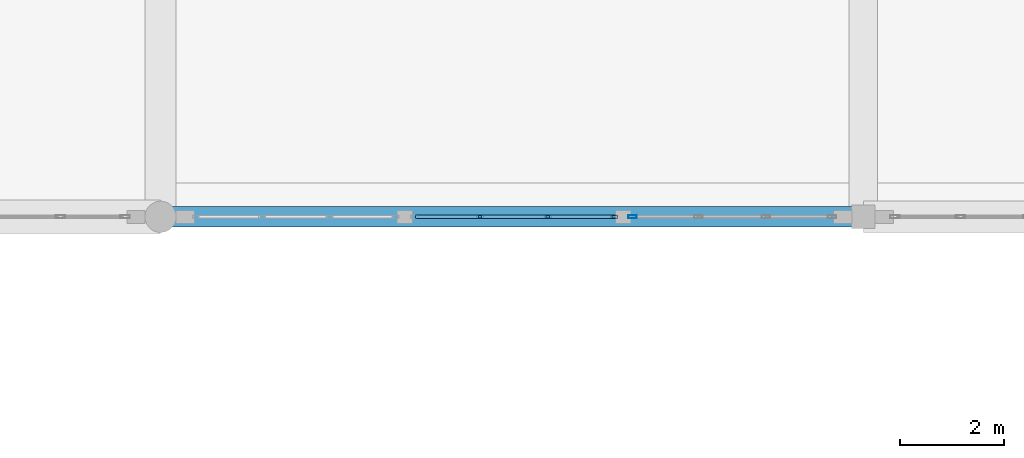
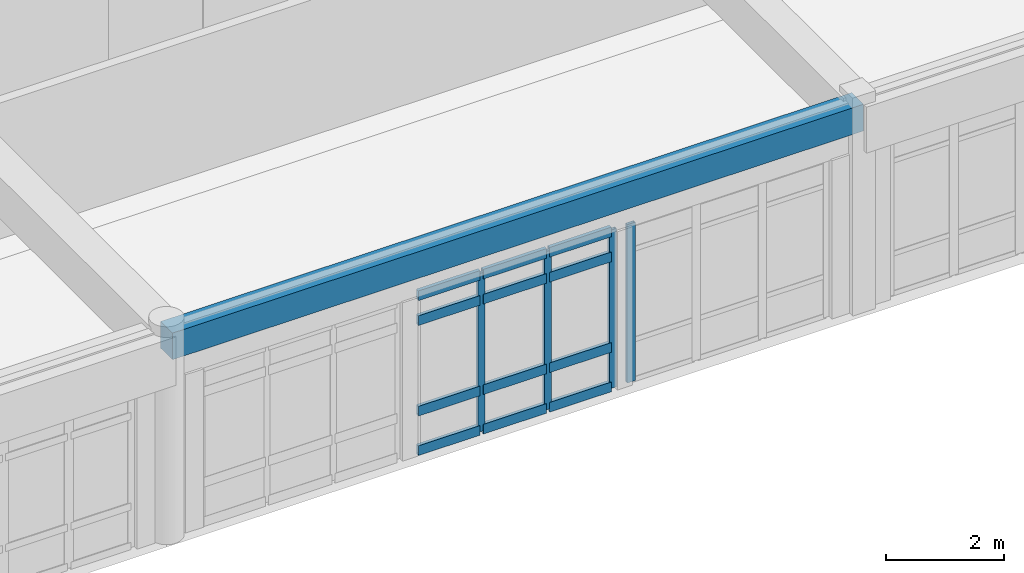
# One storey, part 43 of 109: 16 members, 1 beam, 2 elements without a shape of their own.
"""IFC4 building model written with IfcOpenShell, lengths in metres."""

import ifcopenshell
import ifcopenshell.guid

model = None  # the IFC model being written
_history = None  # IfcOwnerHistory: only IFC2X3 demands one
_inside = {}  # id of a spatial element -> (the spatial element, [elements in it])
_under = {}  # id of a project, library or spatial element -> (it, [spatial elements below it])
_declared = {}  # id of a project -> (the project, [libraries it declares])
_typed = {}  # id of a type object -> (the type object, [elements of that type])
_made_of = {}  # id of a material, layer set ... -> (it, [elements and type objects made of it])


def new_model(schema):
    """Start an empty IFC model of exactly this schema.

    Asked for "IFC4X3", IfcOpenShell would pick the latest addendum, in which some entities
    have other attributes; the version numbers below select the first issue.
    IFC2X3 requires an IfcOwnerHistory on every rooted entity: one is made here for all.
    """
    global model, _history
    if schema == "IFC4X3":
        model = ifcopenshell.file(schema_version=(4, 3, 0, 0))
    else:
        model = ifcopenshell.file(schema=schema)
    _inside.clear()
    _under.clear()
    _declared.clear()
    _typed.clear()
    _made_of.clear()
    _history = None
    if model.schema == "IFC2X3":
        org = make("IfcOrganization", Name="unknown")
        user = make(
            "IfcPersonAndOrganization",
            ThePerson=make("IfcPerson", FamilyName="unknown"),
            TheOrganization=org,
        )
        app = make(
            "IfcApplication",
            ApplicationDeveloper=org,
            Version="unknown",
            ApplicationFullName="unknown",
            ApplicationIdentifier="unknown",
        )
        _history = make(
            "IfcOwnerHistory",
            OwningUser=user,
            OwningApplication=app,
            ChangeAction="ADDED",
            CreationDate=0,
        )
    return model


def make(cls, **values):
    """One entity of the class cls with the attributes given. An attribute that is None is left unset."""
    return model.create_entity(
        cls, **{name: value for name, value in values.items() if value is not None}
    )


def rooted(cls, **values):
    """An entity with a GlobalId (a new one), such as an element, a storey or a relation."""
    return make(cls, GlobalId=ifcopenshell.guid.new(), OwnerHistory=_history, **values)


def si_unit(unit_type, name, prefix=None):
    """IfcSIUnit, for example si_unit("LENGTHUNIT", "METRE", prefix="MILLI")."""
    return make("IfcSIUnit", UnitType=unit_type, Prefix=prefix, Name=name)


def assignment(units):
    """IfcUnitAssignment: the units of a project."""
    return None if units is None else make("IfcUnitAssignment", Units=units)


def point(xyz):
    """IfcCartesianPoint."""
    return None if xyz is None else make("IfcCartesianPoint", Coordinates=xyz)


def direction(xyz):
    """IfcDirection."""
    return None if xyz is None else make("IfcDirection", DirectionRatios=xyz)


def frame(location, z_axis=None, x_axis=None):
    """IfcAxis2Placement3D, a coordinate frame: its origin and axes. An axis left out is left unset."""
    return make(
        "IfcAxis2Placement3D",
        Location=point(location),
        Axis=direction(z_axis),
        RefDirection=direction(x_axis),
    )


def frame_2d(location, x_axis=None):
    """IfcAxis2Placement2D, a coordinate frame in the plane: its origin and x axis."""
    return make(
        "IfcAxis2Placement2D", Location=point(location), RefDirection=direction(x_axis)
    )


def origin():
    """The frame at (0, 0, 0) with its axes left unset."""
    return frame((0.0, 0.0, 0.0))


def origin_2d():
    """The frame at (0, 0) in the plane with its x axis left unset."""
    return frame_2d((0.0, 0.0))


def place(relative_to, where):
    """IfcLocalPlacement: puts the frame where relative to a parent placement (None: the world)."""
    return make(
        "IfcLocalPlacement", PlacementRelTo=relative_to, RelativePlacement=where
    )


def context(
    kind, dimensions, precision=None, world=None, true_north=None, identifier=None
):
    """IfcGeometricRepresentationContext, for example the 3D "Model" context."""
    return make(
        "IfcGeometricRepresentationContext",
        ContextIdentifier=identifier,
        ContextType=kind,
        CoordinateSpaceDimension=dimensions,
        Precision=precision,
        WorldCoordinateSystem=world,
        TrueNorth=true_north,
    )


def subcontext(parent, identifier, kind, view, scale=None):
    """IfcGeometricRepresentationSubContext, for example "Body" below "Model"."""
    return make(
        "IfcGeometricRepresentationSubContext",
        ContextIdentifier=identifier,
        ContextType=kind,
        ParentContext=parent,
        TargetScale=scale,
        TargetView=view,
    )


def project(units=None, contexts=None):
    """IfcProject with its units and contexts."""
    return rooted(
        "IfcProject",
        Name="project",
        RepresentationContexts=contexts,
        UnitsInContext=assignment(units),
    )


def spatial(cls, under=None, at=None, **own):
    """A site, building, storey or space (cls), placed at a placement, below another one or the project."""
    s = rooted(cls, ObjectPlacement=at, **own)
    if under is not None:
        _under.setdefault(under.id(), (under, []))[1].append(s)
    return s


def profile(cls, at=None, kind="AREA", **sizes):
    """A parametric profile (cls). Its sizes go by their IFC names, for example OverallWidth=200.0."""
    return make(cls, ProfileType=kind, Position=at, **sizes)


def rectangle(**sizes):
    """IfcRectangleProfileDef."""
    return profile("IfcRectangleProfileDef", **sizes)


def hollow_rectangle(**sizes):
    """IfcRectangleHollowProfileDef."""
    return profile("IfcRectangleHollowProfileDef", **sizes)


def extrude(swept, where, along, depth):
    """IfcExtrudedAreaSolid: the profile swept, set in the frame where, extruded along a direction by depth."""
    return make(
        "IfcExtrudedAreaSolid",
        SweptArea=swept,
        Position=where,
        ExtrudedDirection=direction(along),
        Depth=depth,
    )


def shape(context_of_items, identifier, shape_type, items):
    """IfcShapeRepresentation: the items that make up one representation, for example the "Body"."""
    return make(
        "IfcShapeRepresentation",
        ContextOfItems=context_of_items,
        RepresentationIdentifier=identifier,
        RepresentationType=shape_type,
        Items=items,
    )


def material(Name=None, Category=None):
    """IfcMaterial."""
    return make("IfcMaterial", Name=Name, Category=Category)


def layer(
    of_material, thickness, ventilated=None, Name=None, Category=None, Priority=None
):
    """IfcMaterialLayer: one layer of a wall or slab, of a material (None: an air gap)."""
    return make(
        "IfcMaterialLayer",
        Material=of_material,
        LayerThickness=thickness,
        IsVentilated=ventilated,
        Name=Name,
        Category=Category,
        Priority=Priority,
    )


def layer_set(layers, Name=None):
    """IfcMaterialLayerSet."""
    return make("IfcMaterialLayerSet", MaterialLayers=layers, LayerSetName=Name)


def material_profile(
    of_material, cross_section, Name=None, Category=None, Priority=None
):
    """IfcMaterialProfile: a cross section and its material."""
    return make(
        "IfcMaterialProfile",
        Name=Name,
        Material=of_material,
        Profile=cross_section,
        Priority=Priority,
        Category=Category,
    )


def profile_set(profiles, Name=None, composite=None):
    """IfcMaterialProfileSet."""
    return make(
        "IfcMaterialProfileSet",
        Name=Name,
        MaterialProfiles=profiles,
        CompositeProfile=composite,
    )


def made_of(thing, what):
    """Note that an element or type object is made of a material, layer set ...; save() writes the relation."""
    if what is not None:
        _made_of.setdefault(what.id(), (what, []))[1].append(thing)
    return thing


def type_object(cls, material=None, **own):
    """A type object (cls), such as IfcWallType, which elements share."""
    return made_of(rooted(cls, **own), material)


def element(
    cls,
    number,
    at=None,
    inside=None,
    cuts=None,
    type_object=None,
    material=None,
    context=None,
    identifier="Body",
    shape_type=None,
    held_by="IfcProductDefinitionShape",
    body=None,
    shapes=None,
    **own,
):
    """One element of the class cls, such as IfcWall. Its Tag is "e" and its number.

    at: its placement. inside: the storey or other place that contains it. cuts: it is an
    opening in that element (IfcRelVoidsElement). A single representation is given by context,
    identifier, shape_type and body (its items); several are given by shapes. held_by: the class
    of the entity that holds the representations. save() writes the other relations.
    """
    e = rooted(cls, Tag="e%d" % number, ObjectPlacement=at, **own)
    if body is not None:
        shapes = [shape(context, identifier, shape_type, body)]
    if shapes is not None:
        e.Representation = make(held_by, Representations=shapes)
    if inside is not None:
        _inside.setdefault(inside.id(), (inside, []))[1].append(e)
    if cuts is not None:
        rooted(
            "IfcRelVoidsElement", RelatingBuildingElement=cuts, RelatedOpeningElement=e
        )
    if type_object is not None:
        _typed.setdefault(type_object.id(), (type_object, []))[1].append(e)
    return made_of(e, material)


def aggregate(whole, parts):
    """IfcRelAggregates: a whole, such as a stair, and the parts it consists of."""
    return rooted("IfcRelAggregates", RelatingObject=whole, RelatedObjects=parts)


def save(model, path):
    """Write the relations noted so far, then the file.

    IfcRelAggregates (storeys below a building ...), IfcRelContainedInSpatialStructure (elements
    in a storey), IfcRelDefinesByType, IfcRelAssociatesMaterial and IfcRelDeclares: one each for
    every whole, place, type object, material and project.
    """
    for whole, parts in _under.values():
        aggregate(whole, parts)
    for where, things in _inside.values():
        rooted(
            "IfcRelContainedInSpatialStructure",
            RelatedElements=things,
            RelatingStructure=where,
        )
    for kind, things in _typed.values():
        rooted("IfcRelDefinesByType", RelatedObjects=things, RelatingType=kind)
    for what, things in _made_of.values():
        rooted("IfcRelAssociatesMaterial", RelatedObjects=things, RelatingMaterial=what)
    for by, libraries in _declared.values():
        rooted("IfcRelDeclares", RelatingContext=by, RelatedDefinitions=libraries)
    model.write(path)


model = new_model("IFC4")

# Units and contexts
model_context = context("Model", 3, precision=1e-05, world=origin(), true_north=direction((0.0, 1.0)))
body_context = subcontext(model_context, "Body", "Model", "MODEL_VIEW")
ifc_project = project(units=[si_unit("LENGTHUNIT", "METRE"), si_unit("AREAUNIT", "SQUARE_METRE"), si_unit("VOLUMEUNIT", "CUBIC_METRE"), si_unit("PLANEANGLEUNIT", "RADIAN"), si_unit("MASSUNIT", "GRAM", prefix="KILO")], contexts=[model_context])

# Site, building, storey
site_placement = place(None, origin())
site = spatial("IfcSite", under=ifc_project, at=site_placement, CompositionType="ELEMENT")
building_placement = place(site_placement, origin())
building = spatial("IfcBuilding", under=site, at=building_placement, Name="Fikremerkos Civic Library", CompositionType="ELEMENT")
storey_placement = place(building_placement, frame((0.0, 0.0, 5.39990234375)))
storey = spatial("IfcBuildingStorey", under=building, at=storey_placement, Name="L01", CompositionType="ELEMENT", Elevation=5.39990234375)

# Curtain wall, member
ifc_material_1 = material(Name="Anodized aluminium Frame", Category="aluminium")
ifc_layer_1 = layer(ifc_material_1, 0.159912109375, Name="Anodized aluminium Frame")
ifc_layer_set_1 = layer_set([ifc_layer_1], Name="Anodized aluminium Frame")
curtain_wall_type_1 = type_object("IfcCurtainWallType", Name="Unitised curtain wall CW-14 4100x3200", PredefinedType="USERDEFINED", material=ifc_layer_set_1)
curtain_wall_1_placement = place(storey_placement, origin())
curtain_wall_1 = element("IfcCurtainWall", 1, at=curtain_wall_1_placement, inside=storey, type_object=curtain_wall_type_1, Name="Unitised curtain wall CW-14 L01 #122", ObjectType="UNITISED CURTAIN WALL", PredefinedType="USERDEFINED")
ifc_material_profile_1 = material_profile(ifc_material_1, hollow_rectangle(XDim=0.06005859375, YDim=0.159912109375, WallThickness=0.00390625, at=origin_2d()), Name="ALU 160x60x4")
ifc_profile_set_1 = profile_set([ifc_material_profile_1], Name="Anodized aluminium Frame")
member_type_1 = type_object("IfcMemberType", Name="Curtain mullion CWM-02 ALU 160x60x4", PredefinedType="MULLION", material=ifc_profile_set_1)
member_1_placement = place(storey_placement, frame((95.763916015625, 96.0, 0.0), z_axis=(0.0, 0.0, 1.0), x_axis=(0.0, -1.0, 0.0)))
member_1 = element("IfcMember", 2, at=member_1_placement, type_object=member_type_1, Name="CW-14 mullion 4", PredefinedType="MULLION", context=body_context, shape_type="SweptSolid", body=[
    extrude(hollow_rectangle(XDim=0.06005859375, YDim=0.159912109375, WallThickness=0.00390625, at=origin_2d()), origin(), (0.0, 0.0, 1.0), 3.27001953125),
])
aggregate(curtain_wall_1, [member_1])

# Curtain wall, members
ifc_layer_2 = layer(ifc_material_1, 0.159912109375, Name="Anodized aluminium Frame")
ifc_layer_set_2 = layer_set([ifc_layer_2], Name="Anodized aluminium Frame")
curtain_wall_type_2 = type_object("IfcCurtainWallType", Name="Unitised curtain wall CW-15 2900x3600", PredefinedType="USERDEFINED", material=ifc_layer_set_2)
curtain_wall_2_placement = place(storey_placement, origin())
curtain_wall_2 = element("IfcCurtainWall", 3, at=curtain_wall_2_placement, inside=storey, type_object=curtain_wall_type_2, Name="Unitised curtain wall CW-15 L01 #123", ObjectType="UNITISED CURTAIN WALL", PredefinedType="USERDEFINED")
ifc_material_profile_2 = material_profile(ifc_material_1, hollow_rectangle(XDim=0.06005859375, YDim=0.139892578125, WallThickness=0.00390625, at=origin_2d()), Name="ALU 140x60x4")
ifc_profile_set_2 = profile_set([ifc_material_profile_2], Name="Anodized aluminium Frame")
member_type_2 = type_object("IfcMemberType", Name="Curtain mullion CWM-03 ALU 140x60x4", PredefinedType="MULLION", material=ifc_profile_set_2)
member_2_placement = place(storey_placement, frame((95.404052734375, 96.0, 0.0), z_axis=(0.0, 0.0, 1.0), x_axis=(0.0, -1.0, 0.0)))
member_2 = element("IfcMember", 4, at=member_2_placement, type_object=member_type_2, Name="CW-15 mullion 1", PredefinedType="MULLION", context=body_context, shape_type="SweptSolid", body=[
    extrude(hollow_rectangle(XDim=0.06005859375, YDim=0.139892578125, WallThickness=0.00390625, at=origin_2d()), origin(), (0.0, 0.0, 1.0), 3.27001953125),
])
member_3_placement = place(storey_placement, frame((94.13623046875, 96.0, 0.0), z_axis=(0.0, 0.0, 1.0), x_axis=(0.0, -1.0, 0.0)))
member_3 = element("IfcMember", 5, at=member_3_placement, type_object=member_type_2, Name="CW-15 mullion 2", PredefinedType="MULLION", context=body_context, shape_type="SweptSolid", body=[
    extrude(hollow_rectangle(XDim=0.06005859375, YDim=0.139892578125, WallThickness=0.00390625, at=origin_2d()), origin(), (0.0, 0.0, 1.0), 3.27001953125),
])
member_4_placement = place(storey_placement, frame((92.838623046875, 96.0, 0.0), z_axis=(0.0, 0.0, 1.0), x_axis=(0.0, -1.0, 0.0)))
member_4 = element("IfcMember", 6, at=member_4_placement, type_object=member_type_2, Name="CW-15 mullion 3", PredefinedType="MULLION", context=body_context, shape_type="SweptSolid", body=[
    extrude(hollow_rectangle(XDim=0.06005859375, YDim=0.139892578125, WallThickness=0.00390625, at=origin_2d()), origin(), (0.0, 0.0, 1.0), 3.27001953125),
])
ifc_material_profile_3 = material_profile(ifc_material_1, hollow_rectangle(XDim=0.070068359375, YDim=0.199951171875, WallThickness=0.0048828125, at=origin_2d()), Name="ALU 200x70x5")
ifc_profile_set_3 = profile_set([ifc_material_profile_3], Name="Anodized aluminium Frame")
member_type_3 = type_object("IfcMemberType", Name="Curtain transom CWT-04 ALU 200x70x5", PredefinedType="USERDEFINED", material=ifc_profile_set_3)
member_5_placement = place(storey_placement, frame((95.3740234375, 96.0, 0.03515625), z_axis=(-1.0, 0.0, 0.0), x_axis=(0.0, -1.0, 0.0)))
member_5 = element("IfcMember", 7, at=member_5_placement, type_object=member_type_3, Name="CW-15 transom 1.1", ObjectType="TRANSOM", PredefinedType="USERDEFINED", context=body_context, shape_type="SweptSolid", body=[
    extrude(hollow_rectangle(XDim=0.070068359375, YDim=0.199951171875, WallThickness=0.0048828125, at=origin_2d()), origin(), (0.0, 0.0, 1.0), 1.207763671875),
])
member_6_placement = place(storey_placement, frame((95.3740234375, 96.0, 0.85009765625), z_axis=(-1.0, 0.0, 0.0), x_axis=(0.0, -1.0, 0.0)))
member_6 = element("IfcMember", 8, at=member_6_placement, type_object=member_type_3, Name="CW-15 transom 1.2", ObjectType="TRANSOM", PredefinedType="USERDEFINED", context=body_context, shape_type="SweptSolid", body=[
    extrude(hollow_rectangle(XDim=0.070068359375, YDim=0.199951171875, WallThickness=0.0048828125, at=origin_2d()), origin(), (0.0, 0.0, 1.0), 1.207763671875),
])
member_7_placement = place(storey_placement, frame((95.3740234375, 96.0, 2.72021484375), z_axis=(-1.0, 0.0, 0.0), x_axis=(0.0, -1.0, 0.0)))
member_7 = element("IfcMember", 9, at=member_7_placement, type_object=member_type_3, Name="CW-15 transom 1.3", ObjectType="TRANSOM", PredefinedType="USERDEFINED", context=body_context, shape_type="SweptSolid", body=[
    extrude(hollow_rectangle(XDim=0.070068359375, YDim=0.199951171875, WallThickness=0.0048828125, at=origin_2d()), origin(), (0.0, 0.0, 1.0), 1.207763671875),
])
member_8_placement = place(storey_placement, frame((95.3740234375, 96.0, 3.235107421875), z_axis=(-1.0, 0.0, 0.0), x_axis=(0.0, -1.0, 0.0)))
member_8 = element("IfcMember", 10, at=member_8_placement, type_object=member_type_3, Name="CW-15 transom 1.4", ObjectType="TRANSOM", PredefinedType="USERDEFINED", context=body_context, shape_type="SweptSolid", body=[
    extrude(hollow_rectangle(XDim=0.070068359375, YDim=0.199951171875, WallThickness=0.0048828125, at=origin_2d()), origin(), (0.0, 0.0, 1.0), 1.207763671875),
])
member_9_placement = place(storey_placement, frame((94.1064453125, 96.0, 0.03515625), z_axis=(-1.0, 0.0, 0.0), x_axis=(0.0, -1.0, 0.0)))
member_9 = element("IfcMember", 11, at=member_9_placement, type_object=member_type_3, Name="CW-15 transom 2.1", ObjectType="TRANSOM", PredefinedType="USERDEFINED", context=body_context, shape_type="SweptSolid", body=[
    extrude(hollow_rectangle(XDim=0.070068359375, YDim=0.199951171875, WallThickness=0.0048828125, at=origin_2d()), origin(), (0.0, 0.0, 1.0), 1.23779296875),
])
member_10_placement = place(storey_placement, frame((94.1064453125, 96.0, 0.85009765625), z_axis=(-1.0, 0.0, 0.0), x_axis=(0.0, -1.0, 0.0)))
member_10 = element("IfcMember", 12, at=member_10_placement, type_object=member_type_3, Name="CW-15 transom 2.2", ObjectType="TRANSOM", PredefinedType="USERDEFINED", context=body_context, shape_type="SweptSolid", body=[
    extrude(hollow_rectangle(XDim=0.070068359375, YDim=0.199951171875, WallThickness=0.0048828125, at=origin_2d()), origin(), (0.0, 0.0, 1.0), 1.23779296875),
])
member_11_placement = place(storey_placement, frame((94.1064453125, 96.0, 2.72021484375), z_axis=(-1.0, 0.0, 0.0), x_axis=(0.0, -1.0, 0.0)))
member_11 = element("IfcMember", 13, at=member_11_placement, type_object=member_type_3, Name="CW-15 transom 2.3", ObjectType="TRANSOM", PredefinedType="USERDEFINED", context=body_context, shape_type="SweptSolid", body=[
    extrude(hollow_rectangle(XDim=0.070068359375, YDim=0.199951171875, WallThickness=0.0048828125, at=origin_2d()), origin(), (0.0, 0.0, 1.0), 1.23779296875),
])
member_12_placement = place(storey_placement, frame((94.1064453125, 96.0, 3.235107421875), z_axis=(-1.0, 0.0, 0.0), x_axis=(0.0, -1.0, 0.0)))
member_12 = element("IfcMember", 14, at=member_12_placement, type_object=member_type_3, Name="CW-15 transom 2.4", ObjectType="TRANSOM", PredefinedType="USERDEFINED", context=body_context, shape_type="SweptSolid", body=[
    extrude(hollow_rectangle(XDim=0.070068359375, YDim=0.199951171875, WallThickness=0.0048828125, at=origin_2d()), origin(), (0.0, 0.0, 1.0), 1.23779296875),
])
member_13_placement = place(storey_placement, frame((92.80859375, 96.0, 0.03515625), z_axis=(-1.0, 0.0, 0.0), x_axis=(0.0, -1.0, 0.0)))
member_13 = element("IfcMember", 15, at=member_13_placement, type_object=member_type_3, Name="CW-15 transom 3.1", ObjectType="TRANSOM", PredefinedType="USERDEFINED", context=body_context, shape_type="SweptSolid", body=[
    extrude(hollow_rectangle(XDim=0.070068359375, YDim=0.199951171875, WallThickness=0.0048828125, at=origin_2d()), origin(), (0.0, 0.0, 1.0), 1.20751953125),
])
member_14_placement = place(storey_placement, frame((92.80859375, 96.0, 0.85009765625), z_axis=(-1.0, 0.0, 0.0), x_axis=(0.0, -1.0, 0.0)))
member_14 = element("IfcMember", 16, at=member_14_placement, type_object=member_type_3, Name="CW-15 transom 3.2", ObjectType="TRANSOM", PredefinedType="USERDEFINED", context=body_context, shape_type="SweptSolid", body=[
    extrude(hollow_rectangle(XDim=0.070068359375, YDim=0.199951171875, WallThickness=0.0048828125, at=origin_2d()), origin(), (0.0, 0.0, 1.0), 1.20751953125),
])
member_15_placement = place(storey_placement, frame((92.80859375, 96.0, 2.72021484375), z_axis=(-1.0, 0.0, 0.0), x_axis=(0.0, -1.0, 0.0)))
member_15 = element("IfcMember", 17, at=member_15_placement, type_object=member_type_3, Name="CW-15 transom 3.3", ObjectType="TRANSOM", PredefinedType="USERDEFINED", context=body_context, shape_type="SweptSolid", body=[
    extrude(hollow_rectangle(XDim=0.070068359375, YDim=0.199951171875, WallThickness=0.0048828125, at=origin_2d()), origin(), (0.0, 0.0, 1.0), 1.20751953125),
])
member_16_placement = place(storey_placement, frame((92.80859375, 96.0, 3.235107421875), z_axis=(-1.0, 0.0, 0.0), x_axis=(0.0, -1.0, 0.0)))
member_16 = element("IfcMember", 18, at=member_16_placement, type_object=member_type_3, Name="CW-15 transom 3.4", ObjectType="TRANSOM", PredefinedType="USERDEFINED", context=body_context, shape_type="SweptSolid", body=[
    extrude(hollow_rectangle(XDim=0.070068359375, YDim=0.199951171875, WallThickness=0.0048828125, at=origin_2d()), origin(), (0.0, 0.0, 1.0), 1.20751953125),
])
aggregate(curtain_wall_2, [member_2, member_3, member_4, member_5, member_6, member_7, member_8, member_9, member_10, member_11, member_12, member_13, member_14, member_15, member_16])

# Beam
ifc_material_2 = material(Name="Concrete C40/50", Category="concrete")
ifc_material_profile_4 = material_profile(ifc_material_2, rectangle(XDim=0.39990234375, YDim=0.550048828125, at=origin_2d()), Name="RC 400x550")
ifc_profile_set_4 = profile_set([ifc_material_profile_4], Name="Concrete C40/50")
beam_type = type_object("IfcBeamType", Name="Primary girder BM-26 RC 400x550", PredefinedType="BEAM", material=ifc_profile_set_4)
beam_placement = place(storey_placement, frame((86.699951171875, 96.0, 4.005126953125), z_axis=(1.0, 0.0, 0.0), x_axis=(0.0, 1.0, 0.0)))
element("IfcBeam", 19, at=beam_placement, inside=storey, type_object=beam_type, Name="Primary girder BM-26 L01 grid M", PredefinedType="BEAM", context=body_context, shape_type="SweptSolid", body=[
    extrude(rectangle(XDim=0.39990234375, YDim=0.550048828125, at=origin_2d()), origin(), (0.0, 0.0, 1.0), 13.5),
])

save(model, "model.ifc")
